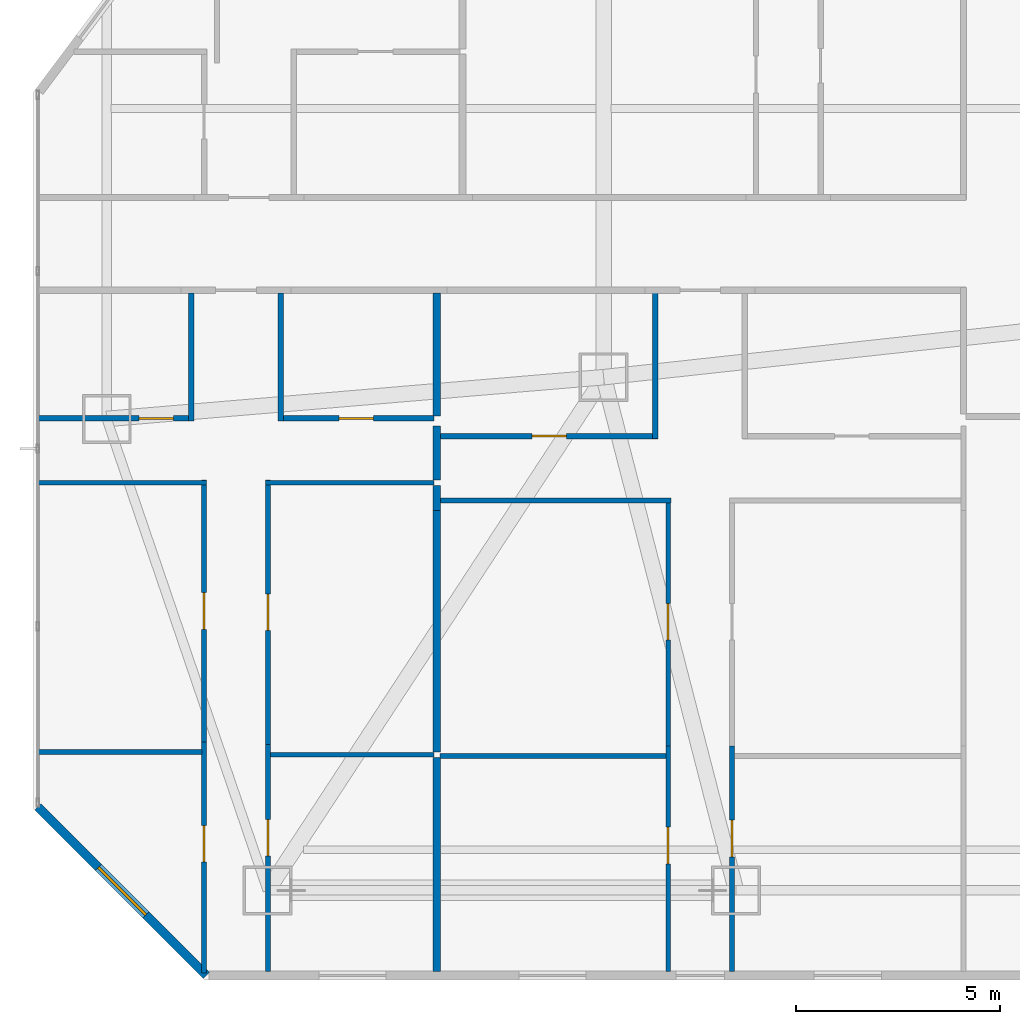
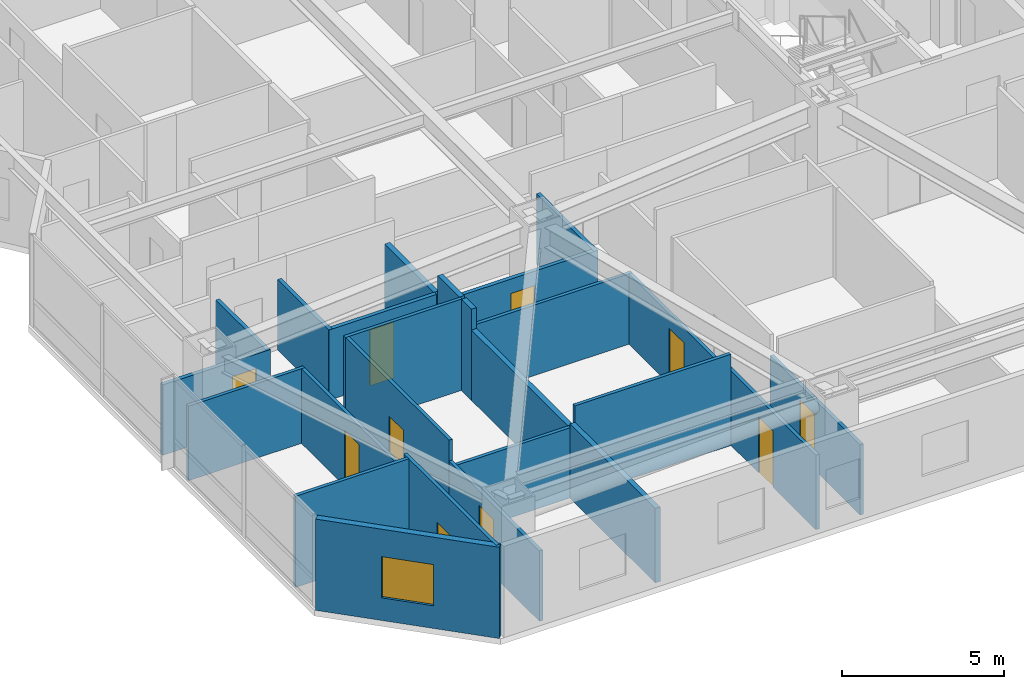
# One storey, part 17 of 25: 25 walls, 10 doors, 1 window, 11 openings.
"""IFC4 building model written with IfcOpenShell, lengths in metres."""

import ifcopenshell
import ifcopenshell.guid

model = None  # the IFC model being written
_history = None  # IfcOwnerHistory: only IFC2X3 demands one
_inside = {}  # id of a spatial element -> (the spatial element, [elements in it])
_under = {}  # id of a project, library or spatial element -> (it, [spatial elements below it])
_declared = {}  # id of a project -> (the project, [libraries it declares])
_typed = {}  # id of a type object -> (the type object, [elements of that type])
_made_of = {}  # id of a material, layer set ... -> (it, [elements and type objects made of it])


def new_model(schema):
    """Start an empty IFC model of exactly this schema.

    Asked for "IFC4X3", IfcOpenShell would pick the latest addendum, in which some entities
    have other attributes; the version numbers below select the first issue.
    IFC2X3 requires an IfcOwnerHistory on every rooted entity: one is made here for all.
    """
    global model, _history
    if schema == "IFC4X3":
        model = ifcopenshell.file(schema_version=(4, 3, 0, 0))
    else:
        model = ifcopenshell.file(schema=schema)
    _inside.clear()
    _under.clear()
    _declared.clear()
    _typed.clear()
    _made_of.clear()
    _history = None
    if model.schema == "IFC2X3":
        org = make("IfcOrganization", Name="unknown")
        user = make(
            "IfcPersonAndOrganization",
            ThePerson=make("IfcPerson", FamilyName="unknown"),
            TheOrganization=org,
        )
        app = make(
            "IfcApplication",
            ApplicationDeveloper=org,
            Version="unknown",
            ApplicationFullName="unknown",
            ApplicationIdentifier="unknown",
        )
        _history = make(
            "IfcOwnerHistory",
            OwningUser=user,
            OwningApplication=app,
            ChangeAction="ADDED",
            CreationDate=0,
        )
    return model


def make(cls, **values):
    """One entity of the class cls with the attributes given. An attribute that is None is left unset."""
    return model.create_entity(
        cls, **{name: value for name, value in values.items() if value is not None}
    )


def rooted(cls, **values):
    """An entity with a GlobalId (a new one), such as an element, a storey or a relation."""
    return make(cls, GlobalId=ifcopenshell.guid.new(), OwnerHistory=_history, **values)


def si_unit(unit_type, name, prefix=None):
    """IfcSIUnit, for example si_unit("LENGTHUNIT", "METRE", prefix="MILLI")."""
    return make("IfcSIUnit", UnitType=unit_type, Prefix=prefix, Name=name)


def assignment(units):
    """IfcUnitAssignment: the units of a project."""
    return None if units is None else make("IfcUnitAssignment", Units=units)


def point(xyz):
    """IfcCartesianPoint."""
    return None if xyz is None else make("IfcCartesianPoint", Coordinates=xyz)


def direction(xyz):
    """IfcDirection."""
    return None if xyz is None else make("IfcDirection", DirectionRatios=xyz)


def frame(location, z_axis=None, x_axis=None):
    """IfcAxis2Placement3D, a coordinate frame: its origin and axes. An axis left out is left unset."""
    return make(
        "IfcAxis2Placement3D",
        Location=point(location),
        Axis=direction(z_axis),
        RefDirection=direction(x_axis),
    )


def frame_2d(location, x_axis=None):
    """IfcAxis2Placement2D, a coordinate frame in the plane: its origin and x axis."""
    return make(
        "IfcAxis2Placement2D", Location=point(location), RefDirection=direction(x_axis)
    )


def origin():
    """The frame at (0, 0, 0) with its axes left unset."""
    return frame((0.0, 0.0, 0.0))


def place(relative_to, where):
    """IfcLocalPlacement: puts the frame where relative to a parent placement (None: the world)."""
    return make(
        "IfcLocalPlacement", PlacementRelTo=relative_to, RelativePlacement=where
    )


def context(
    kind, dimensions, precision=None, world=None, true_north=None, identifier=None
):
    """IfcGeometricRepresentationContext, for example the 3D "Model" context."""
    return make(
        "IfcGeometricRepresentationContext",
        ContextIdentifier=identifier,
        ContextType=kind,
        CoordinateSpaceDimension=dimensions,
        Precision=precision,
        WorldCoordinateSystem=world,
        TrueNorth=true_north,
    )


def subcontext(parent, identifier, kind, view, scale=None):
    """IfcGeometricRepresentationSubContext, for example "Body" below "Model"."""
    return make(
        "IfcGeometricRepresentationSubContext",
        ContextIdentifier=identifier,
        ContextType=kind,
        ParentContext=parent,
        TargetScale=scale,
        TargetView=view,
    )


def project(units=None, contexts=None):
    """IfcProject with its units and contexts."""
    return rooted(
        "IfcProject",
        Name="project",
        RepresentationContexts=contexts,
        UnitsInContext=assignment(units),
    )


def spatial(cls, under=None, at=None, **own):
    """A site, building, storey or space (cls), placed at a placement, below another one or the project."""
    s = rooted(cls, ObjectPlacement=at, **own)
    if under is not None:
        _under.setdefault(under.id(), (under, []))[1].append(s)
    return s


def profile(cls, at=None, kind="AREA", **sizes):
    """A parametric profile (cls). Its sizes go by their IFC names, for example OverallWidth=200.0."""
    return make(cls, ProfileType=kind, Position=at, **sizes)


def rectangle(**sizes):
    """IfcRectangleProfileDef."""
    return profile("IfcRectangleProfileDef", **sizes)


def extrude(swept, where, along, depth):
    """IfcExtrudedAreaSolid: the profile swept, set in the frame where, extruded along a direction by depth."""
    return make(
        "IfcExtrudedAreaSolid",
        SweptArea=swept,
        Position=where,
        ExtrudedDirection=direction(along),
        Depth=depth,
    )


def shape(context_of_items, identifier, shape_type, items):
    """IfcShapeRepresentation: the items that make up one representation, for example the "Body"."""
    return make(
        "IfcShapeRepresentation",
        ContextOfItems=context_of_items,
        RepresentationIdentifier=identifier,
        RepresentationType=shape_type,
        Items=items,
    )


def material(Name=None, Category=None):
    """IfcMaterial."""
    return make("IfcMaterial", Name=Name, Category=Category)


def layer(
    of_material, thickness, ventilated=None, Name=None, Category=None, Priority=None
):
    """IfcMaterialLayer: one layer of a wall or slab, of a material (None: an air gap)."""
    return make(
        "IfcMaterialLayer",
        Material=of_material,
        LayerThickness=thickness,
        IsVentilated=ventilated,
        Name=Name,
        Category=Category,
        Priority=Priority,
    )


def layer_set(layers, Name=None):
    """IfcMaterialLayerSet."""
    return make("IfcMaterialLayerSet", MaterialLayers=layers, LayerSetName=Name)


def made_of(thing, what):
    """Note that an element or type object is made of a material, layer set ...; save() writes the relation."""
    if what is not None:
        _made_of.setdefault(what.id(), (what, []))[1].append(thing)
    return thing


def type_object(cls, material=None, **own):
    """A type object (cls), such as IfcWallType, which elements share."""
    return made_of(rooted(cls, **own), material)


def element(
    cls,
    number,
    at=None,
    inside=None,
    cuts=None,
    type_object=None,
    material=None,
    context=None,
    identifier="Body",
    shape_type=None,
    held_by="IfcProductDefinitionShape",
    body=None,
    shapes=None,
    **own,
):
    """One element of the class cls, such as IfcWall. Its Tag is "e" and its number.

    at: its placement. inside: the storey or other place that contains it. cuts: it is an
    opening in that element (IfcRelVoidsElement). A single representation is given by context,
    identifier, shape_type and body (its items); several are given by shapes. held_by: the class
    of the entity that holds the representations. save() writes the other relations.
    """
    e = rooted(cls, Tag="e%d" % number, ObjectPlacement=at, **own)
    if body is not None:
        shapes = [shape(context, identifier, shape_type, body)]
    if shapes is not None:
        e.Representation = make(held_by, Representations=shapes)
    if inside is not None:
        _inside.setdefault(inside.id(), (inside, []))[1].append(e)
    if cuts is not None:
        rooted(
            "IfcRelVoidsElement", RelatingBuildingElement=cuts, RelatedOpeningElement=e
        )
    if type_object is not None:
        _typed.setdefault(type_object.id(), (type_object, []))[1].append(e)
    return made_of(e, material)


def fill(opening, filler):
    """IfcRelFillsElement: the door or window that sits in an opening."""
    return rooted(
        "IfcRelFillsElement",
        RelatingOpeningElement=opening,
        RelatedBuildingElement=filler,
    )


def aggregate(whole, parts):
    """IfcRelAggregates: a whole, such as a stair, and the parts it consists of."""
    return rooted("IfcRelAggregates", RelatingObject=whole, RelatedObjects=parts)


def save(model, path):
    """Write the relations noted so far, then the file.

    IfcRelAggregates (storeys below a building ...), IfcRelContainedInSpatialStructure (elements
    in a storey), IfcRelDefinesByType, IfcRelAssociatesMaterial and IfcRelDeclares: one each for
    every whole, place, type object, material and project.
    """
    for whole, parts in _under.values():
        aggregate(whole, parts)
    for where, things in _inside.values():
        rooted(
            "IfcRelContainedInSpatialStructure",
            RelatedElements=things,
            RelatingStructure=where,
        )
    for kind, things in _typed.values():
        rooted("IfcRelDefinesByType", RelatedObjects=things, RelatingType=kind)
    for what, things in _made_of.values():
        rooted("IfcRelAssociatesMaterial", RelatedObjects=things, RelatingMaterial=what)
    for by, libraries in _declared.values():
        rooted("IfcRelDeclares", RelatingContext=by, RelatedDefinitions=libraries)
    model.write(path)


model = new_model("IFC4")

# Units and contexts
model_context = context("Model", 3, precision=1e-05, world=origin(), true_north=direction((0.0, 1.0)))
body_context = subcontext(model_context, "Body", "Model", "MODEL_VIEW")
ifc_project = project(units=[si_unit("LENGTHUNIT", "METRE"), si_unit("AREAUNIT", "SQUARE_METRE"), si_unit("VOLUMEUNIT", "CUBIC_METRE"), si_unit("PLANEANGLEUNIT", "RADIAN"), si_unit("MASSUNIT", "GRAM", prefix="KILO")], contexts=[model_context])

# Site, building, storey
site_placement = place(None, origin())
site = spatial("IfcSite", under=ifc_project, at=site_placement, CompositionType="ELEMENT")
building_placement = place(site_placement, origin())
building = spatial("IfcBuilding", under=site, at=building_placement, Name="Khamvora Tower", CompositionType="ELEMENT")
storey_placement = place(building_placement, frame((0.0, 0.0, 36.949951171875)))
storey = spatial("IfcBuildingStorey", under=building, at=storey_placement, Name="L08", CompositionType="ELEMENT", Elevation=36.949951171875)

# Walls
ifc_material_1 = material(Name="Acoustic Double-Stud Fire Wall", Category="gypsum")
ifc_layer_1 = layer(ifc_material_1, 0.179931640625)
ifc_layer_set_1 = layer_set([ifc_layer_1], Name="Acoustic Double-Stud Fire Wall")
wall_type_1 = type_object("IfcWallType", Name="WAL-CORR-180", PredefinedType="STANDARD", material=ifc_layer_set_1)
wall_1_placement = place(storey_placement, frame((13.905029296875, 16.60400390625, 0.0), z_axis=(0.0, 0.0, 1.0), x_axis=(0.0, -1.0, 0.0)))
element("IfcWall", 1, at=wall_1_placement, inside=storey, type_object=wall_type_1, Name="L08 interior partition wall 057", PredefinedType="STANDARD", context=body_context, shape_type="SweptSolid", body=[
    extrude(rectangle(XDim=1.3310546875, YDim=0.179931640625, at=frame_2d((0.66552734375, 0.0))), origin(), (0.0, 0.0, 1.0), 3.429931640625),
])
wall_2_placement = place(storey_placement, frame((13.905029296875, 19.867919921875, 0.0), z_axis=(0.0, 0.0, 1.0), x_axis=(0.0, -1.0, 0.0)))
element("IfcWall", 2, at=wall_2_placement, inside=storey, type_object=wall_type_1, Name="L08 interior partition wall 058", PredefinedType="STANDARD", context=body_context, shape_type="SweptSolid", body=[
    extrude(rectangle(XDim=3.014892578125, YDim=0.179931640625, at=frame_2d((1.50732421875, 0.0))), origin(), (0.0, 0.0, 1.0), 2.64697265625),
])
wall_3_placement = place(storey_placement, frame((13.905029296875, 8.465087890625, 0.0), z_axis=(0.0, 0.0, 1.0), x_axis=(0.0, -1.0, 0.0)))
element("IfcWall", 3, at=wall_3_placement, inside=storey, type_object=wall_type_1, Name="L08 interior partition wall 061", PredefinedType="STANDARD", context=body_context, shape_type="SweptSolid", body=[
    extrude(rectangle(XDim=5.253173828125, YDim=0.179931640625, at=frame_2d((2.62646484375, 0.0))), origin(), (0.0, 0.0, 1.0), 2.802978515625),
])
wall_4_placement = place(storey_placement, frame((13.905029296875, 15.14306640625, 0.0), z_axis=(0.0, 0.0, 1.0), x_axis=(0.0, -1.0, 0.0)))
element("IfcWall", 4, at=wall_4_placement, inside=storey, type_object=wall_type_1, Name="L08 interior partition wall 062", PredefinedType="STANDARD", context=body_context, shape_type="SweptSolid", body=[
    extrude(rectangle(XDim=0.6171875, YDim=0.179931640625, at=frame_2d((0.30859375, 0.0))), origin(), (0.0, 0.0, 1.0), 3.429931640625),
])
wall_5_placement = place(storey_placement, frame((13.905029296875, 14.52587890625, 0.0), z_axis=(0.0, 0.0, 1.0), x_axis=(0.0, -1.0, 0.0)))
element("IfcWall", 5, at=wall_5_placement, inside=storey, type_object=wall_type_1, Name="L08 interior partition wall 063", PredefinedType="STANDARD", context=body_context, shape_type="SweptSolid", body=[
    extrude(rectangle(XDim=5.930908203125, YDim=0.179931640625, at=frame_2d((2.96533203125, 0.0))), origin(), (0.0, 0.0, 1.0), 2.64697265625),
])

# Wall, opening, window
ifc_material_2 = material(Name="Precast concrete C40/50", Category="concrete")
ifc_layer_2 = layer(ifc_material_2, 0.219970703125)
ifc_layer_set_2 = layer_set([ifc_layer_2], Name="Precast concrete C40/50")
wall_type_2 = type_object("IfcWallType", Name="WAL-EXT-220", PredefinedType="STANDARD", material=ifc_layer_set_2)
wall_6_placement = place(storey_placement, frame((8.24609375, 3.110107421875, 0.0), z_axis=(0.0, 0.0, 1.0), x_axis=(-0.707106781187, 0.707106781187, 0.0)))
wall_6 = element("IfcWall", 6, at=wall_6_placement, inside=storey, type_object=wall_type_2, Name="L08 exterior facade wall 01.1", PredefinedType="STANDARD", context=body_context, shape_type="SweptSolid", body=[
    extrude(rectangle(XDim=5.84912109375, YDim=0.219970703125, at=frame_2d((2.924560546875, 0.0))), origin(), (0.0, 0.0, 1.0), 3.429931640625),
])
opening_1_placement = place(wall_6_placement, frame((2.10009765625, 0.0, 0.85009765625)))
opening_1 = element("IfcOpeningElement", 7, at=opening_1_placement, cuts=wall_6, Name="Opening WN-06", PredefinedType="OPENING", context=body_context, shape_type="SweptSolid", body=[
    extrude(rectangle(XDim=1.64990234375, YDim=1.550048828125, at=frame_2d((0.824951171875, 0.77490234375))), frame((0.0, 0.119873046875, 0.0), z_axis=(0.0, -1.0, 0.0), x_axis=(1.0, 0.0, 0.0)), (0.0, 0.0, 1.0), 0.239990234375),
])
ifc_material_3 = material(Name="Low-E Laminated Double Glazing", Category="glass")
window_type = type_object("IfcWindowType", Name="WIN-VIS-1650x1550", PartitioningType="SINGLE_PANEL", PredefinedType="WINDOW", material=ifc_material_3)
window_placement = place(opening_1_placement, origin())
window = element("IfcWindow", 8, at=window_placement, inside=storey, type_object=window_type, Name="L08 vision window 01.1.01", OverallHeight=1.550048828125, OverallWidth=1.64990234375, PartitioningType="SINGLE_PANEL", PredefinedType="WINDOW", context=body_context, shape_type="SweptSolid", body=[
    extrude(rectangle(XDim=1.64990234375, YDim=1.550048828125, at=frame_2d((0.824951171875, 0.77490234375))), frame((0.0, 0.030029296875, 0.0), z_axis=(0.0, -1.0, 0.0), x_axis=(1.0, 0.0, 0.0)), (0.0, 0.0, 1.0), 0.06005859375),
])
fill(opening_1, window)

# Wall, opening, door
ifc_material_4 = material(Name="Gypsum Plasterboard Partition", Category="gypsum")
ifc_layer_3 = layer(ifc_material_4, 0.1201171875)
ifc_layer_set_3 = layer_set([ifc_layer_3], Name="Gypsum Plasterboard Partition")
wall_type_3 = type_object("IfcWallType", Name="WAL-PART-120", PredefinedType="PARTITIONING", material=ifc_layer_set_3)
wall_7_placement = place(storey_placement, frame((8.18994140625, 3.172119140625, 0.0), z_axis=(0.0, 0.0, 1.0), x_axis=(0.0, 1.0, 0.0)))
wall_7 = element("IfcWall", 9, at=wall_7_placement, inside=storey, type_object=wall_type_3, Name="L08 interior partition wall 051", PredefinedType="PARTITIONING", context=body_context, shape_type="SweptSolid", body=[
    extrude(rectangle(XDim=5.673828125, YDim=0.1201171875, at=frame_2d((2.8369140625, 0.0))), origin(), (0.0, 0.0, 1.0), 3.429931640625),
])
opening_2_placement = place(wall_7_placement, frame((2.719970703125, 0.0, 0.0)))
opening_2 = element("IfcOpeningElement", 10, at=opening_2_placement, cuts=wall_7, Name="Opening D-RM1", PredefinedType="OPENING", context=body_context, shape_type="SweptSolid", body=[
    extrude(rectangle(XDim=0.89990234375, YDim=2.10009765625, at=frame_2d((0.449951171875, 1.050048828125))), frame((0.0, 0.070068359375, 0.0), z_axis=(0.0, -1.0, 0.0), x_axis=(1.0, 0.0, 0.0)), (0.0, 0.0, 1.0), 0.14013671875),
])
ifc_material_5 = material(Name="Powder-Coated Steel and Hardwood Leaf", Category="steel")
door_type_1 = type_object("IfcDoorType", Name="DOR-ROOM-900", OperationType="NOTDEFINED", PredefinedType="DOOR", material=ifc_material_5)
door_1_placement = place(opening_2_placement, origin())
door_1 = element("IfcDoor", 11, at=door_1_placement, inside=storey, type_object=door_type_1, Name="L08 interior door 08WAH-08WAL", OperationType="SINGLE_SWING_RIGHT", OverallHeight=2.10009765625, OverallWidth=0.89990234375, PredefinedType="DOOR", context=body_context, shape_type="SweptSolid", body=[
    extrude(rectangle(XDim=0.89990234375, YDim=2.10009765625, at=frame_2d((0.449951171875, 1.050048828125))), frame((0.0, 0.02490234375, 0.0), z_axis=(0.0, -1.0, 0.0), x_axis=(1.0, 0.0, 0.0)), (0.0, 0.0, 1.0), 0.050048828125),
])
fill(opening_2, door_1)

wall_8_placement = place(storey_placement, frame((8.18994140625, 8.845947265625, 0.0), z_axis=(0.0, 0.0, 1.0), x_axis=(0.0, 1.0, 0.0)))
wall_8 = element("IfcWall", 12, at=wall_8_placement, inside=storey, type_object=wall_type_3, Name="L08 interior partition wall 052", PredefinedType="PARTITIONING", context=body_context, shape_type="SweptSolid", body=[
    extrude(rectangle(XDim=6.427001953125, YDim=0.1201171875, at=frame_2d((3.21337890625, 0.0))), origin(), (0.0, 0.0, 1.0), 2.802978515625),
])
opening_3_placement = place(wall_8_placement, frame((2.762939453125, 0.0, 0.0)))
opening_3 = element("IfcOpeningElement", 13, at=opening_3_placement, cuts=wall_8, Name="Opening D-RM1", PredefinedType="OPENING", context=body_context, shape_type="SweptSolid", body=[
    extrude(rectangle(XDim=0.89990234375, YDim=2.10009765625, at=frame_2d((0.449951171875, 1.050048828125))), frame((0.0, 0.070068359375, 0.0), z_axis=(0.0, -1.0, 0.0), x_axis=(1.0, 0.0, 0.0)), (0.0, 0.0, 1.0), 0.14013671875),
])
door_2_placement = place(opening_3_placement, origin())
door_2 = element("IfcDoor", 14, at=door_2_placement, inside=storey, type_object=door_type_1, Name="L08 interior door 08WAH-08WAR2", OperationType="SINGLE_SWING_RIGHT", OverallHeight=2.10009765625, OverallWidth=0.89990234375, PredefinedType="DOOR", context=body_context, shape_type="SweptSolid", body=[
    extrude(rectangle(XDim=0.89990234375, YDim=2.10009765625, at=frame_2d((0.449951171875, 1.050048828125))), frame((0.0, 0.02490234375, 0.0), z_axis=(0.0, -1.0, 0.0), x_axis=(1.0, 0.0, 0.0)), (0.0, 0.0, 1.0), 0.050048828125),
])
fill(opening_3, door_2)

# Wall
wall_9_placement = place(storey_placement, frame((8.2548828125, 15.2080078125, 0.0), z_axis=(0.0, 0.0, 1.0), x_axis=(-1.0, 0.0, 0.0)))
element("IfcWall", 15, at=wall_9_placement, inside=storey, type_object=wall_type_3, Name="L08 interior partition wall 053", PredefinedType="PARTITIONING", context=body_context, shape_type="SweptSolid", body=[
    extrude(rectangle(XDim=4.144775390625, YDim=0.1201171875, at=frame_2d((2.072265625, 0.0))), origin(), (0.0, 0.0, 1.0), 2.802978515625),
])

# Wall, opening, door
wall_10_placement = place(storey_placement, frame((9.760009765625, 8.780029296875, 0.0), z_axis=(0.0, 0.0, 1.0), x_axis=(0.0, -1.0, 0.0)))
wall_10 = element("IfcWall", 16, at=wall_10_placement, inside=storey, type_object=wall_type_3, Name="L08 interior partition wall 054", PredefinedType="PARTITIONING", context=body_context, shape_type="SweptSolid", body=[
    extrude(rectangle(XDim=5.568115234375, YDim=0.1201171875, at=frame_2d((2.7841796875, 0.0))), origin(), (0.0, 0.0, 1.0), 2.64697265625),
])
opening_4_placement = place(wall_10_placement, frame((1.8369140625, 0.0, 0.0)))
opening_4 = element("IfcOpeningElement", 17, at=opening_4_placement, cuts=wall_10, Name="Opening D-RM1", PredefinedType="OPENING", context=body_context, shape_type="SweptSolid", body=[
    extrude(rectangle(XDim=0.89990234375, YDim=2.10009765625, at=frame_2d((0.449951171875, 1.050048828125))), frame((0.0, 0.070068359375, 0.0), z_axis=(0.0, -1.0, 0.0), x_axis=(1.0, 0.0, 0.0)), (0.0, 0.0, 1.0), 0.14013671875),
])
door_3_placement = place(opening_4_placement, origin())
door_3 = element("IfcDoor", 18, at=door_3_placement, inside=storey, type_object=door_type_1, Name="L08 interior door 08WAH-08WAR3", OperationType="SINGLE_SWING_LEFT", OverallHeight=2.10009765625, OverallWidth=0.89990234375, PredefinedType="DOOR", context=body_context, shape_type="SweptSolid", body=[
    extrude(rectangle(XDim=0.89990234375, YDim=2.10009765625, at=frame_2d((0.449951171875, 1.050048828125))), frame((0.0, 0.02490234375, 0.0), z_axis=(0.0, -1.0, 0.0), x_axis=(1.0, 0.0, 0.0)), (0.0, 0.0, 1.0), 0.050048828125),
])
fill(opening_4, door_3)

wall_11_placement = place(storey_placement, frame((9.760009765625, 15.27294921875, 0.0), z_axis=(0.0, 0.0, 1.0), x_axis=(0.0, -1.0, 0.0)))
wall_11 = element("IfcWall", 19, at=wall_11_placement, inside=storey, type_object=wall_type_3, Name="L08 interior partition wall 055", PredefinedType="PARTITIONING", context=body_context, shape_type="SweptSolid", body=[
    extrude(rectangle(XDim=6.492919921875, YDim=0.1201171875, at=frame_2d((3.24658203125, 0.0))), origin(), (0.0, 0.0, 1.0), 3.429931640625),
])
opening_5_placement = place(wall_11_placement, frame((2.7958984375, 0.0, 0.0)))
opening_5 = element("IfcOpeningElement", 20, at=opening_5_placement, cuts=wall_11, Name="Opening D-RM1", PredefinedType="OPENING", context=body_context, shape_type="SweptSolid", body=[
    extrude(rectangle(XDim=0.89990234375, YDim=2.10009765625, at=frame_2d((0.449951171875, 1.050048828125))), frame((0.0, 0.070068359375, 0.0), z_axis=(0.0, -1.0, 0.0), x_axis=(1.0, 0.0, 0.0)), (0.0, 0.0, 1.0), 0.14013671875),
])
door_4_placement = place(opening_5_placement, origin())
door_4 = element("IfcDoor", 21, at=door_4_placement, inside=storey, type_object=door_type_1, Name="L08 interior door 08WAH-08WAR4", OperationType="SINGLE_SWING_LEFT", OverallHeight=2.10009765625, OverallWidth=0.89990234375, PredefinedType="DOOR", context=body_context, shape_type="SweptSolid", body=[
    extrude(rectangle(XDim=0.89990234375, YDim=2.10009765625, at=frame_2d((0.449951171875, 1.050048828125))), frame((0.0, 0.02490234375, 0.0), z_axis=(0.0, -1.0, 0.0), x_axis=(1.0, 0.0, 0.0)), (0.0, 0.0, 1.0), 0.050048828125),
])
fill(opening_5, door_4)

# Walls
wall_12_placement = place(storey_placement, frame((13.840087890625, 15.2080078125, 0.0), z_axis=(0.0, 0.0, 1.0), x_axis=(-1.0, 0.0, 0.0)))
element("IfcWall", 22, at=wall_12_placement, inside=storey, type_object=wall_type_3, Name="L08 interior partition wall 056", PredefinedType="PARTITIONING", context=body_context, shape_type="SweptSolid", body=[
    extrude(rectangle(XDim=4.14501953125, YDim=0.1201171875, at=frame_2d((2.072509765625, 0.0))), origin(), (0.0, 0.0, 1.0), 3.429931640625),
])
wall_13_placement = place(storey_placement, frame((4.110107421875, 8.596923828125, 0.0), z_axis=(0.0, 0.0, 1.0), x_axis=(1.0, 0.0, 0.0)))
element("IfcWall", 23, at=wall_13_placement, inside=storey, type_object=wall_type_3, Name="L08 interior partition wall 059", PredefinedType="PARTITIONING", context=body_context, shape_type="SweptSolid", body=[
    extrude(rectangle(XDim=4.02587890625, YDim=0.1201171875, at=frame_2d((2.012939453125, 0.0))), origin(), (0.0, 0.0, 1.0), 3.429931640625),
])
wall_14_placement = place(storey_placement, frame((9.81396484375, 8.530029296875, 0.0), z_axis=(0.0, 0.0, 1.0), x_axis=(1.0, 0.0, 0.0)))
element("IfcWall", 24, at=wall_14_placement, inside=storey, type_object=wall_type_3, Name="L08 interior partition wall 060", PredefinedType="PARTITIONING", context=body_context, shape_type="SweptSolid", body=[
    extrude(rectangle(XDim=4.026123046875, YDim=0.1201171875, at=frame_2d((2.01318359375, 0.0))), origin(), (0.0, 0.0, 1.0), 2.64697265625),
])

# Wall, opening, door
wall_15_placement = place(storey_placement, frame((19.5849609375, 3.2119140625, 0.0), z_axis=(0.0, 0.0, 1.0), x_axis=(0.0, 1.0, 0.0)))
wall_15 = element("IfcWall", 25, at=wall_15_placement, inside=storey, type_object=wall_type_3, Name="L08 interior partition wall 068", PredefinedType="PARTITIONING", context=body_context, shape_type="SweptSolid", body=[
    extrude(rectangle(XDim=5.5361328125, YDim=0.1201171875, at=frame_2d((2.76806640625, 0.0))), origin(), (0.0, 0.0, 1.0), 2.802978515625),
])
opening_6_placement = place(wall_15_placement, frame((2.638916015625, 0.0, 0.0)))
opening_6 = element("IfcOpeningElement", 26, at=opening_6_placement, cuts=wall_15, Name="Opening D-RM1", PredefinedType="OPENING", context=body_context, shape_type="SweptSolid", body=[
    extrude(rectangle(XDim=0.89990234375, YDim=2.10009765625, at=frame_2d((0.449951171875, 1.050048828125))), frame((0.0, 0.070068359375, 0.0), z_axis=(0.0, -1.0, 0.0), x_axis=(1.0, 0.0, 0.0)), (0.0, 0.0, 1.0), 0.14013671875),
])
door_5_placement = place(opening_6_placement, origin())
door_5 = element("IfcDoor", 27, at=door_5_placement, inside=storey, type_object=door_type_1, Name="L08 interior door 08WBH-08WBL", OperationType="SINGLE_SWING_RIGHT", OverallHeight=2.10009765625, OverallWidth=0.89990234375, PredefinedType="DOOR", context=body_context, shape_type="SweptSolid", body=[
    extrude(rectangle(XDim=0.89990234375, YDim=2.10009765625, at=frame_2d((0.449951171875, 1.050048828125))), frame((0.0, 0.02490234375, 0.0), z_axis=(0.0, -1.0, 0.0), x_axis=(1.0, 0.0, 0.0)), (0.0, 0.0, 1.0), 0.050048828125),
])
fill(opening_6, door_5)

wall_16_placement = place(storey_placement, frame((19.5849609375, 8.748046875, 0.0), z_axis=(0.0, 0.0, 1.0), x_axis=(0.0, 1.0, 0.0)))
wall_16 = element("IfcWall", 28, at=wall_16_placement, inside=storey, type_object=wall_type_3, Name="L08 interior partition wall 069", PredefinedType="PARTITIONING", context=body_context, shape_type="SweptSolid", body=[
    extrude(rectangle(XDim=6.092041015625, YDim=0.1201171875, at=frame_2d((3.0458984375, 0.0))), origin(), (0.0, 0.0, 1.0), 2.64697265625),
])
opening_7_placement = place(wall_16_placement, frame((2.595947265625, 0.0, 0.0)))
opening_7 = element("IfcOpeningElement", 29, at=opening_7_placement, cuts=wall_16, Name="Opening D-RM1", PredefinedType="OPENING", context=body_context, shape_type="SweptSolid", body=[
    extrude(rectangle(XDim=0.89990234375, YDim=2.10009765625, at=frame_2d((0.449951171875, 1.050048828125))), frame((0.0, 0.070068359375, 0.0), z_axis=(0.0, -1.0, 0.0), x_axis=(1.0, 0.0, 0.0)), (0.0, 0.0, 1.0), 0.14013671875),
])
door_6_placement = place(opening_7_placement, origin())
door_6 = element("IfcDoor", 30, at=door_6_placement, inside=storey, type_object=door_type_1, Name="L08 interior door 08WBH-08WBR2", OperationType="SINGLE_SWING_LEFT", OverallHeight=2.10009765625, OverallWidth=0.89990234375, PredefinedType="DOOR", context=body_context, shape_type="SweptSolid", body=[
    extrude(rectangle(XDim=0.89990234375, YDim=2.10009765625, at=frame_2d((0.449951171875, 1.050048828125))), frame((0.0, 0.02490234375, 0.0), z_axis=(0.0, -1.0, 0.0), x_axis=(1.0, 0.0, 0.0)), (0.0, 0.0, 1.0), 0.050048828125),
])
fill(opening_7, door_6)

# Wall
wall_17_placement = place(storey_placement, frame((19.64990234375, 14.77490234375, 0.0), z_axis=(0.0, 0.0, 1.0), x_axis=(-1.0, 0.0, 0.0)))
element("IfcWall", 31, at=wall_17_placement, inside=storey, type_object=wall_type_3, Name="L08 interior partition wall 070", PredefinedType="PARTITIONING", context=body_context, shape_type="SweptSolid", body=[
    extrude(rectangle(XDim=5.662841796875, YDim=0.1201171875, at=frame_2d((2.83154296875, 0.0))), origin(), (0.0, 0.0, 1.0), 2.64697265625),
])

# Wall, opening, door
wall_18_placement = place(storey_placement, frame((21.155029296875, 8.748046875, 0.0), z_axis=(0.0, 0.0, 1.0), x_axis=(0.0, -1.0, 0.0)))
wall_18 = element("IfcWall", 32, at=wall_18_placement, inside=storey, type_object=wall_type_3, Name="L08 interior partition wall 071", PredefinedType="PARTITIONING", context=body_context, shape_type="SweptSolid", body=[
    extrude(rectangle(XDim=5.5361328125, YDim=0.1201171875, at=frame_2d((2.76806640625, 0.0))), origin(), (0.0, 0.0, 1.0), 2.64697265625),
])
opening_8_placement = place(wall_18_placement, frame((1.824951171875, 0.0, 0.0)))
opening_8 = element("IfcOpeningElement", 33, at=opening_8_placement, cuts=wall_18, Name="Opening D-RM1", PredefinedType="OPENING", context=body_context, shape_type="SweptSolid", body=[
    extrude(rectangle(XDim=0.89990234375, YDim=2.10009765625, at=frame_2d((0.449951171875, 1.050048828125))), frame((0.0, 0.070068359375, 0.0), z_axis=(0.0, -1.0, 0.0), x_axis=(1.0, 0.0, 0.0)), (0.0, 0.0, 1.0), 0.14013671875),
])
door_7_placement = place(opening_8_placement, origin())
door_7 = element("IfcDoor", 34, at=door_7_placement, inside=storey, type_object=door_type_1, Name="L08 interior door 08WBH-08WBR3", OperationType="SINGLE_SWING_LEFT", OverallHeight=2.10009765625, OverallWidth=0.89990234375, PredefinedType="DOOR", context=body_context, shape_type="SweptSolid", body=[
    extrude(rectangle(XDim=0.89990234375, YDim=2.10009765625, at=frame_2d((0.449951171875, 1.050048828125))), frame((0.0, 0.02490234375, 0.0), z_axis=(0.0, -1.0, 0.0), x_axis=(1.0, 0.0, 0.0)), (0.0, 0.0, 1.0), 0.050048828125),
])
fill(opening_8, door_7)

# Wall
wall_19_placement = place(storey_placement, frame((13.97900390625, 8.498046875, 0.0), z_axis=(0.0, 0.0, 1.0), x_axis=(1.0, 0.0, 0.0)))
element("IfcWall", 35, at=wall_19_placement, inside=storey, type_object=wall_type_3, Name="L08 interior partition wall 074", PredefinedType="PARTITIONING", context=body_context, shape_type="SweptSolid", body=[
    extrude(rectangle(XDim=5.552001953125, YDim=0.1201171875, at=frame_2d((2.77587890625, 0.0))), origin(), (0.0, 0.0, 1.0), 3.429931640625),
])

# Wall, opening, door
ifc_material_6 = material(Name="Moisture-Resistant Plasterboard Partition", Category="gypsum")
ifc_layer_4 = layer(ifc_material_6, 0.135009765625)
ifc_layer_set_4 = layer_set([ifc_layer_4], Name="Moisture-Resistant Plasterboard Partition")
wall_type_4 = type_object("IfcWallType", Name="WAL-WET-135", PredefinedType="PARTITIONING", material=ifc_layer_set_4)
wall_20_placement = place(storey_placement, frame((4.110107421875, 16.7880859375, 0.0), z_axis=(0.0, 0.0, 1.0), x_axis=(1.0, 0.0, 0.0)))
wall_20 = element("IfcWall", 36, at=wall_20_placement, inside=storey, type_object=wall_type_4, Name="L08 interior partition wall 047", PredefinedType="PARTITIONING", context=body_context, shape_type="SweptSolid", body=[
    extrude(rectangle(XDim=3.829833984375, YDim=0.135009765625, at=frame_2d((1.9150390625, 0.0))), origin(), (0.0, 0.0, 1.0), 2.64697265625),
])
opening_9_placement = place(wall_20_placement, frame((2.47705078125, 0.0, 0.0)))
opening_9 = element("IfcOpeningElement", 37, at=opening_9_placement, cuts=wall_20, Name="Opening D-WC1", PredefinedType="OPENING", context=body_context, shape_type="SweptSolid", body=[
    extrude(rectangle(XDim=0.85009765625, YDim=2.10009765625, at=frame_2d((0.425048828125, 1.050048828125))), frame((0.0, 0.077392578125, 0.0), z_axis=(0.0, -1.0, 0.0), x_axis=(1.0, 0.0, 0.0)), (0.0, 0.0, 1.0), 0.155029296875),
])
door_type_2 = type_object("IfcDoorType", Name="DOR-WET-850", OperationType="NOTDEFINED", PredefinedType="DOOR", material=ifc_material_5)
door_8_placement = place(opening_9_placement, origin())
door_8 = element("IfcDoor", 38, at=door_8_placement, inside=storey, type_object=door_type_2, Name="L08 interior door 08WAH-08WAB", OperationType="SINGLE_SWING_RIGHT", OverallHeight=2.10009765625, OverallWidth=0.85009765625, PredefinedType="DOOR", context=body_context, shape_type="SweptSolid", body=[
    extrude(rectangle(XDim=0.85009765625, YDim=2.10009765625, at=frame_2d((0.425048828125, 1.050048828125))), frame((0.0, 0.02490234375, 0.0), z_axis=(0.0, -1.0, 0.0), x_axis=(1.0, 0.0, 0.0)), (0.0, 0.0, 1.0), 0.050048828125),
])
fill(opening_9, door_8)

# Walls
for number, where, z_axis, x_axis, name in (
    (39, (7.875, 16.722900390625, 0.0), (0.0, 0.0, 1.0), (0.0, 1.0, 0.0), "L08 interior partition wall 048"),
    (40, (10.074951171875, 19.867919921875, 0.0), (0.0, 0.0, 1.0), (0.0, -1.0, 0.0), "L08 interior partition wall 049"),
):
    element("IfcWall", number, at=place(storey_placement, frame(where, z_axis=z_axis, x_axis=x_axis)), inside=storey, type_object=wall_type_4, Name=name, PredefinedType="PARTITIONING", context=body_context, shape_type="SweptSolid", body=[
        extrude(rectangle(XDim=3.14501953125, YDim=0.135009765625, at=frame_2d((1.572509765625, 0.0))), origin(), (0.0, 0.0, 1.0), 2.64697265625),
    ])

# Wall, opening, door
wall_21_placement = place(storey_placement, frame((10.010009765625, 16.7880859375, 0.0), z_axis=(0.0, 0.0, 1.0), x_axis=(1.0, 0.0, 0.0)))
wall_21 = element("IfcWall", 41, at=wall_21_placement, inside=storey, type_object=wall_type_4, Name="L08 interior partition wall 050", PredefinedType="PARTITIONING", context=body_context, shape_type="SweptSolid", body=[
    extrude(rectangle(XDim=3.830078125, YDim=0.135009765625, at=frame_2d((1.9150390625, 0.0))), origin(), (0.0, 0.0, 1.0), 2.64697265625),
])
opening_10_placement = place(wall_21_placement, frame((1.489990234375, 0.0, 0.0)))
opening_10 = element("IfcOpeningElement", 42, at=opening_10_placement, cuts=wall_21, Name="Opening D-RM2", PredefinedType="OPENING", context=body_context, shape_type="SweptSolid", body=[
    extrude(rectangle(XDim=0.85009765625, YDim=2.10009765625, at=frame_2d((0.425048828125, 1.050048828125))), frame((0.0, 0.077392578125, 0.0), z_axis=(0.0, -1.0, 0.0), x_axis=(1.0, 0.0, 0.0)), (0.0, 0.0, 1.0), 0.155029296875),
])
door_type_3 = type_object("IfcDoorType", Name="DOR-ROOM-850", OperationType="NOTDEFINED", PredefinedType="DOOR", material=ifc_material_5)
door_9_placement = place(opening_10_placement, origin())
door_9 = element("IfcDoor", 43, at=door_9_placement, inside=storey, type_object=door_type_3, Name="L08 interior door 08WAH-08WAK", OperationType="SINGLE_SWING_RIGHT", OverallHeight=2.10009765625, OverallWidth=0.85009765625, PredefinedType="DOOR", context=body_context, shape_type="SweptSolid", body=[
    extrude(rectangle(XDim=0.85009765625, YDim=2.10009765625, at=frame_2d((0.425048828125, 1.050048828125))), frame((0.0, 0.02490234375, 0.0), z_axis=(0.0, -1.0, 0.0), x_axis=(1.0, 0.0, 0.0)), (0.0, 0.0, 1.0), 0.050048828125),
])
fill(opening_10, door_9)

wall_22_placement = place(storey_placement, frame((13.987060546875, 16.35498046875, 0.0), z_axis=(0.0, 0.0, 1.0), x_axis=(1.0, 0.0, 0.0)))
wall_22 = element("IfcWall", 44, at=wall_22_placement, inside=storey, type_object=wall_type_4, Name="L08 interior partition wall 066", PredefinedType="PARTITIONING", context=body_context, shape_type="SweptSolid", body=[
    extrude(rectangle(XDim=5.347900390625, YDim=0.135009765625, at=frame_2d((2.673828125, 0.0))), origin(), (0.0, 0.0, 1.0), 2.64697265625),
])
opening_11_placement = place(wall_22_placement, frame((2.2490234375, 0.0, 0.0)))
opening_11 = element("IfcOpeningElement", 45, at=opening_11_placement, cuts=wall_22, Name="Opening D-RM2", PredefinedType="OPENING", context=body_context, shape_type="SweptSolid", body=[
    extrude(rectangle(XDim=0.85009765625, YDim=2.10009765625, at=frame_2d((0.425048828125, 1.050048828125))), frame((0.0, 0.077392578125, 0.0), z_axis=(0.0, -1.0, 0.0), x_axis=(1.0, 0.0, 0.0)), (0.0, 0.0, 1.0), 0.155029296875),
])
door_10_placement = place(opening_11_placement, origin())
door_10 = element("IfcDoor", 46, at=door_10_placement, inside=storey, type_object=door_type_3, Name="L08 interior door 08WBH-08WBK", OperationType="SINGLE_SWING_LEFT", OverallHeight=2.10009765625, OverallWidth=0.85009765625, PredefinedType="DOOR", context=body_context, shape_type="SweptSolid", body=[
    extrude(rectangle(XDim=0.85009765625, YDim=2.10009765625, at=frame_2d((0.425048828125, 1.050048828125))), frame((0.0, 0.02490234375, 0.0), z_axis=(0.0, -1.0, 0.0), x_axis=(1.0, 0.0, 0.0)), (0.0, 0.0, 1.0), 0.050048828125),
])
fill(opening_11, door_10)

# Wall
wall_23_placement = place(storey_placement, frame((19.27001953125, 16.2900390625, 0.0), z_axis=(0.0, 0.0, 1.0), x_axis=(0.0, 1.0, 0.0)))
element("IfcWall", 47, at=wall_23_placement, inside=storey, type_object=wall_type_4, Name="L08 interior partition wall 067", PredefinedType="PARTITIONING", context=body_context, shape_type="SweptSolid", body=[
    extrude(rectangle(XDim=3.577880859375, YDim=0.135009765625, at=frame_2d((1.7890625, 0.0))), origin(), (0.0, 0.0, 1.0), 2.64697265625),
])

save(model, "model.ifc")
